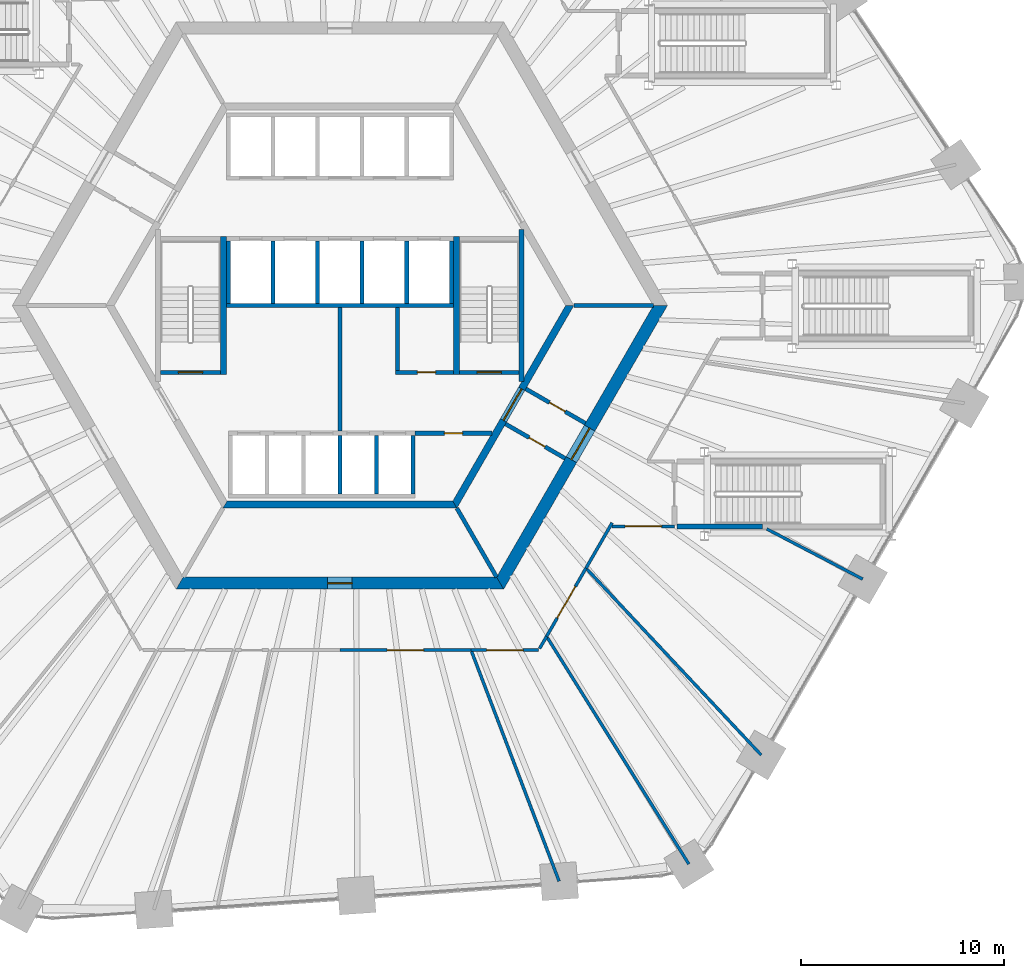
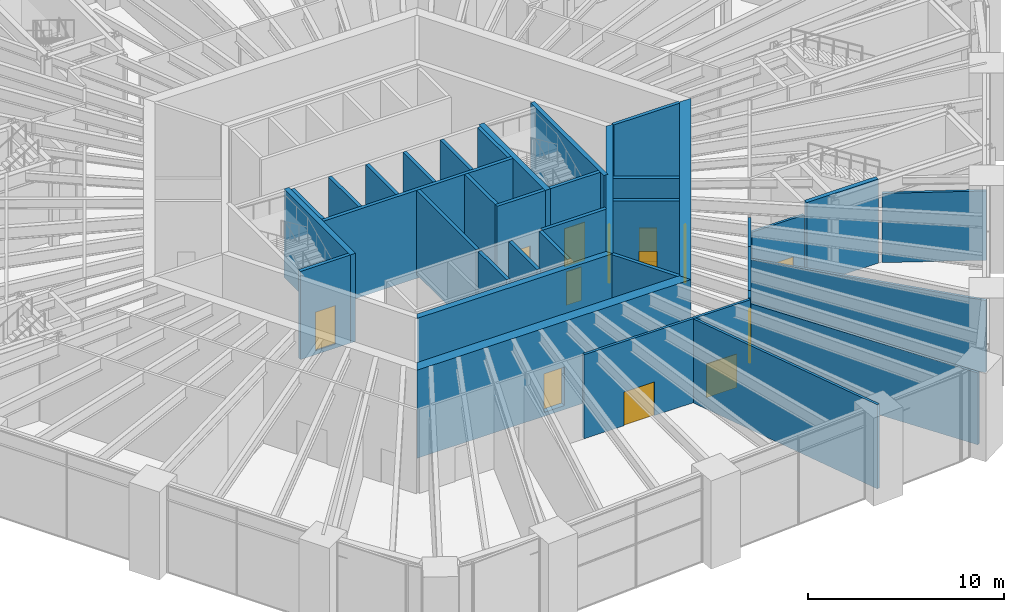
# One storey, part 22 of 30: 38 walls, 13 doors, 13 openings.
"""IFC4 building model written with IfcOpenShell, lengths in metres."""

from ifc_helpers import new_model, si_unit, direction, frame, frame_2d, origin, place, context, subcontext, project, spatial, polyline, rectangle, outline, extrude, material, layer, layer_set, type_object, element, fill, save


model = new_model("IFC4")

# Units and contexts
model_context = context("Model", 3, precision=1e-05, world=origin(), true_north=direction((0.0, 1.0)))
body_context = subcontext(model_context, "Body", "Model", "MODEL_VIEW")
ifc_project = project(units=[si_unit("LENGTHUNIT", "METRE"), si_unit("AREAUNIT", "SQUARE_METRE"), si_unit("VOLUMEUNIT", "CUBIC_METRE"), si_unit("PLANEANGLEUNIT", "RADIAN"), si_unit("MASSUNIT", "GRAM", prefix="KILO")], contexts=[model_context])

# Site, building, storey
site_placement = place(None, origin())
site = spatial("IfcSite", under=ifc_project, at=site_placement, CompositionType="ELEMENT")
building_placement = place(site_placement, origin())
building = spatial("IfcBuilding", under=site, at=building_placement, Name="Tarnside Tower", CompositionType="ELEMENT")
storey_placement = place(building_placement, frame((0.0, 0.0, 15.0)))
storey = spatial("IfcBuildingStorey", under=building, at=storey_placement, Name="L02", CompositionType="ELEMENT", Elevation=15.0)

# Wall
ifc_material_1 = material(Name="Concrete C50/60", Category="concrete")
ifc_layer_1 = layer(ifc_material_1, 0.35009765625)
ifc_layer_set_1 = layer_set([ifc_layer_1], Name="Core block wall 350 C50/60")
wall_type_1 = type_object("IfcWallType", Name="Core block wall 350 C50/60", PredefinedType="SHEAR", material=ifc_layer_set_1)
wall_1_placement = place(storey_placement, frame((-5.672607421875, -9.824951171875, -0.25), z_axis=(0.0, 0.0, 1.0), x_axis=(1.0, 0.0, 0.0)))
element("IfcWall", 1, at=wall_1_placement, inside=storey, type_object=wall_type_1, Name="L02 core block wall face 4", PredefinedType="SHEAR", context=body_context, shape_type="SweptSolid", body=[
    extrude(outline(polyline([(-0.10107421875, -0.175048828125), (11.4462890625, -0.175048828125), (11.244140625, 0.175048828125), (0.10107421875, 0.175048828125), (-0.10107421875, -0.175048828125)])), origin(), (0.0, 0.0, 1.0), 5.5),
])

# Wall, opening, door
wall_2_placement = place(storey_placement, frame((5.672607421875, -9.824951171875, -0.25), z_axis=(0.0, 0.0, 1.0), x_axis=(0.499995046907, 0.866028263435, 0.0)))
wall_2 = element("IfcWall", 2, at=wall_2_placement, inside=storey, type_object=wall_type_1, Name="L02 core block wall face 5", PredefinedType="SHEAR", context=body_context, shape_type="SweptSolid", body=[
    extrude(outline(polyline([(-0.10107421875, -0.175048828125), (11.44580078125, -0.175048828125), (11.24365234375, 0.175048828125), (0.10107421875, 0.175048828125), (-0.10107421875, -0.175048828125)])), origin(), (0.0, 0.0, 1.0), 5.5),
])
opening_1_placement = place(wall_2_placement, frame((4.80126953125, 0.0, 0.25)))
opening_1 = element("IfcOpeningElement", 3, at=opening_1_placement, cuts=wall_2, Name="Opening CD-FFL", PredefinedType="OPENING", context=body_context, shape_type="SweptSolid", body=[
    extrude(rectangle(XDim=1.800048828125, YDim=2.39990234375, at=frame_2d((0.89990234375, 1.199951171875))), frame((0.0, 0.18505859375, 0.0), z_axis=(0.0, -1.0, 0.0), x_axis=(1.0, 0.0, 0.0)), (0.0, 0.0, 1.0), 0.3701171875),
])
ifc_material_2 = material(Name="Steel fire door", Category="steel")
door_type_1 = type_object("IfcDoorType", Name="Firefighting lobby double door FD60S 1800x2400", OperationType="NOTDEFINED", PredefinedType="DOOR", material=ifc_material_2)
door_1_placement = place(opening_1_placement, origin())
door_1 = element("IfcDoor", 4, at=door_1_placement, inside=storey, type_object=door_type_1, Name="L02 lobby block door P4", OperationType="DOUBLE_DOOR_SINGLE_SWING", OverallHeight=2.39990234375, OverallWidth=1.800048828125, PredefinedType="DOOR", context=body_context, shape_type="SweptSolid", body=[
    extrude(rectangle(XDim=1.800048828125, YDim=2.39990234375, at=frame_2d((0.89990234375, 1.199951171875))), frame((0.0, 0.02490234375, 0.0), z_axis=(0.0, -1.0, 0.0), x_axis=(1.0, 0.0, 0.0)), (0.0, 0.0, 1.0), 0.050048828125),
])
fill(opening_1, door_1)

ifc_material_3 = material(Name="Concrete C40/50", Category="concrete")
ifc_layer_2 = layer(ifc_material_3, 0.199951171875)
ifc_layer_set_2 = layer_set([ifc_layer_2], Name="Core room partition 200 C40/50")
wall_type_2 = type_object("IfcWallType", Name="Core room partition 200 C40/50", PredefinedType="PARTITIONING", material=ifc_layer_set_2)
wall_3_placement = place(storey_placement, frame((2.75, -3.300048828125, 0.0), z_axis=(0.0, 0.0, 1.0), x_axis=(1.0, 0.0, 0.0)))
wall_3 = element("IfcWall", 5, at=wall_3_placement, inside=storey, type_object=wall_type_2, Name="L02 core partition R3S1", PredefinedType="PARTITIONING", context=body_context, shape_type="SweptSolid", body=[
    extrude(rectangle(XDim=2.85009765625, YDim=0.199951171875, at=frame_2d((1.425048828125, 0.0))), origin(), (0.0, 0.0, 1.0), 5.25),
])
opening_2_placement = place(wall_3_placement, frame((1.074951171875, 0.0, 0.0)))
opening_2 = element("IfcOpeningElement", 6, at=opening_2_placement, cuts=wall_3, Name="Opening CD-room", PredefinedType="OPENING", context=body_context, shape_type="SweptSolid", body=[
    extrude(rectangle(XDim=0.89990234375, YDim=2.10009765625, at=frame_2d((0.449951171875, 1.050048828125))), frame((0.0, 0.10986328125, 0.0), z_axis=(0.0, -1.0, 0.0), x_axis=(1.0, 0.0, 0.0)), (0.0, 0.0, 1.0), 0.219970703125),
])
door_type_2 = type_object("IfcDoorType", Name="Room door FD60 900x2100", OperationType="NOTDEFINED", PredefinedType="DOOR", material=ifc_material_2)
door_2_placement = place(opening_2_placement, origin())
door_2 = element("IfcDoor", 7, at=door_2_placement, inside=storey, type_object=door_type_2, Name="L02 core room door SR1", OperationType="SINGLE_SWING_LEFT", OverallHeight=2.10009765625, OverallWidth=0.89990234375, PredefinedType="DOOR", context=body_context, shape_type="SweptSolid", body=[
    extrude(rectangle(XDim=0.89990234375, YDim=2.10009765625, at=frame_2d((0.449951171875, 1.050048828125))), frame((0.0, 0.02490234375, 0.0), z_axis=(0.0, -1.0, 0.0), x_axis=(1.0, 0.0, 0.0)), (0.0, 0.0, 1.0), 0.050048828125),
])
fill(opening_2, door_2)

# Walls
wall_4_placement = place(storey_placement, frame((2.85009765625, -3.199951171875, 0.0), z_axis=(0.0, 0.0, 1.0), x_axis=(0.0, 1.0, 0.0)))
element("IfcWall", 8, at=wall_4_placement, inside=storey, type_object=wall_type_2, Name="L02 core partition R3P1a", PredefinedType="PARTITIONING", context=body_context, shape_type="SweptSolid", body=[
    extrude(rectangle(XDim=3.099853515625, YDim=0.199951171875, at=frame_2d((1.5498046875, 0.0))), origin(), (0.0, 0.0, 1.0), 5.25),
])
wall_5_placement = place(storey_placement, frame((0.0, -6.199951171875, 0.0), z_axis=(0.0, 0.0, 1.0), x_axis=(0.0, 1.0, 0.0)))
element("IfcWall", 9, at=wall_5_placement, inside=storey, type_object=wall_type_2, Name="L02 core partition X0", PredefinedType="PARTITIONING", context=body_context, shape_type="SweptSolid", body=[
    extrude(rectangle(XDim=6.099853515625, YDim=0.199951171875, at=frame_2d((3.0498046875, 0.0))), origin(), (0.0, 0.0, 1.0), 5.25),
])

# Wall, opening, door
wall_6_placement = place(storey_placement, frame((3.699951171875, -6.300048828125, 0.0), z_axis=(0.0, 0.0, 1.0), x_axis=(1.0, 0.0, 0.0)))
wall_6 = element("IfcWall", 10, at=wall_6_placement, inside=storey, type_object=wall_type_2, Name="L02 core partition R4X", PredefinedType="PARTITIONING", context=body_context, shape_type="SweptSolid", body=[
    extrude(rectangle(XDim=3.8056640625, YDim=0.199951171875, at=frame_2d((1.90283203125, 0.0))), origin(), (0.0, 0.0, 1.0), 5.25),
])
opening_3_placement = place(wall_6_placement, frame((1.452880859375, 0.0, 0.0)))
opening_3 = element("IfcOpeningElement", 11, at=opening_3_placement, cuts=wall_6, Name="Opening CD-room", PredefinedType="OPENING", context=body_context, shape_type="SweptSolid", body=[
    extrude(rectangle(XDim=0.89990234375, YDim=2.10009765625, at=frame_2d((0.449951171875, 1.050048828125))), frame((0.0, 0.10986328125, 0.0), z_axis=(0.0, -1.0, 0.0), x_axis=(1.0, 0.0, 0.0)), (0.0, 0.0, 1.0), 0.219970703125),
])
door_3_placement = place(opening_3_placement, origin())
door_3 = element("IfcDoor", 12, at=door_3_placement, inside=storey, type_object=door_type_2, Name="L02 core room door RX", OperationType="SINGLE_SWING_LEFT", OverallHeight=2.10009765625, OverallWidth=0.89990234375, PredefinedType="DOOR", context=body_context, shape_type="SweptSolid", body=[
    extrude(rectangle(XDim=0.89990234375, YDim=2.10009765625, at=frame_2d((0.449951171875, 1.050048828125))), frame((0.0, 0.02490234375, 0.0), z_axis=(0.0, -1.0, 0.0), x_axis=(1.0, 0.0, 0.0)), (0.0, 0.0, 1.0), 0.050048828125),
])
fill(opening_3, door_3)

wall_7_placement = place(storey_placement, frame((9.1748046875, -4.10888671875, 0.0), z_axis=(0.0, 0.0, 1.0), x_axis=(0.865989465428, -0.500062241894, 0.0)))
wall_7 = element("IfcWall", 13, at=wall_7_placement, inside=storey, type_object=wall_type_2, Name="L02 core partition AC4L", PredefinedType="PARTITIONING", context=body_context, shape_type="SweptSolid", body=[
    extrude(rectangle(XDim=3.39990234375, YDim=0.199951171875, at=frame_2d((1.699951171875, 0.0))), origin(), (0.0, 0.0, 1.0), 5.25),
])
opening_4_placement = place(wall_7_placement, frame((1.3505859375, 0.0, 0.0)))
opening_4 = element("IfcOpeningElement", 14, at=opening_4_placement, cuts=wall_7, Name="Opening CD-room", PredefinedType="OPENING", context=body_context, shape_type="SweptSolid", body=[
    extrude(rectangle(XDim=0.89990234375, YDim=2.10009765625, at=frame_2d((0.449951171875, 1.050048828125))), frame((0.0, 0.10986328125, 0.0), z_axis=(0.0, -1.0, 0.0), x_axis=(1.0, 0.0, 0.0)), (0.0, 0.0, 1.0), 0.219970703125),
])
door_4_placement = place(opening_4_placement, origin())
door_4 = element("IfcDoor", 15, at=door_4_placement, inside=storey, type_object=door_type_2, Name="L02 core room door AX4L", OperationType="SINGLE_SWING_LEFT", OverallHeight=2.10009765625, OverallWidth=0.89990234375, PredefinedType="DOOR", context=body_context, shape_type="SweptSolid", body=[
    extrude(rectangle(XDim=0.89990234375, YDim=2.10009765625, at=frame_2d((0.449951171875, 1.050048828125))), frame((0.0, 0.02490234375, 0.0), z_axis=(0.0, -1.0, 0.0), x_axis=(1.0, 0.0, 0.0)), (0.0, 0.0, 1.0), 0.050048828125),
])
fill(opening_4, door_4)

wall_8_placement = place(storey_placement, frame((8.1748046875, -5.841064453125, 0.0), z_axis=(0.0, 0.0, 1.0), x_axis=(0.866020560687, -0.500008388397, 0.0)))
wall_8 = element("IfcWall", 16, at=wall_8_placement, inside=storey, type_object=wall_type_2, Name="L02 core partition AC4R", PredefinedType="PARTITIONING", context=body_context, shape_type="SweptSolid", body=[
    extrude(rectangle(XDim=3.39990234375, YDim=0.199951171875, at=frame_2d((1.699951171875, 0.0))), origin(), (0.0, 0.0, 1.0), 5.25),
])
opening_5_placement = place(wall_8_placement, frame((1.349609375, 0.0, 0.0)))
opening_5 = element("IfcOpeningElement", 17, at=opening_5_placement, cuts=wall_8, Name="Opening CD-room", PredefinedType="OPENING", context=body_context, shape_type="SweptSolid", body=[
    extrude(rectangle(XDim=0.89990234375, YDim=2.10009765625, at=frame_2d((0.449951171875, 1.050048828125))), frame((0.0, 0.10986328125, 0.0), z_axis=(0.0, -1.0, 0.0), x_axis=(1.0, 0.0, 0.0)), (0.0, 0.0, 1.0), 0.219970703125),
])
door_5_placement = place(opening_5_placement, origin())
door_5 = element("IfcDoor", 18, at=door_5_placement, inside=storey, type_object=door_type_2, Name="L02 core room door AX4R", OperationType="SINGLE_SWING_LEFT", OverallHeight=2.10009765625, OverallWidth=0.89990234375, PredefinedType="DOOR", context=body_context, shape_type="SweptSolid", body=[
    extrude(rectangle(XDim=0.89990234375, YDim=2.10009765625, at=frame_2d((0.449951171875, 1.050048828125))), frame((0.0, 0.02490234375, 0.0), z_axis=(0.0, -1.0, 0.0), x_axis=(1.0, 0.0, 0.0)), (0.0, 0.0, 1.0), 0.050048828125),
])
fill(opening_5, door_5)

ifc_material_4 = material(Name="Concrete C80/95", Category="concrete")
ifc_layer_3 = layer(ifc_material_4, 0.60009765625)
ifc_layer_set_3 = layer_set([ifc_layer_3], Name="Core wall Z1 600 C80/95")
wall_type_3 = type_object("IfcWallType", Name="Core wall Z1 600 C80/95", PredefinedType="SHEAR", material=ifc_layer_set_3)
wall_9_placement = place(storey_placement, frame((-7.90966796875, -13.699951171875, -0.25), z_axis=(0.0, 0.0, 1.0), x_axis=(1.0, 0.0, 0.0)))
wall_9 = element("IfcWall", 19, at=wall_9_placement, inside=storey, type_object=wall_type_3, Name="L02 core wall face 4", PredefinedType="SHEAR", context=body_context, shape_type="SweptSolid", body=[
    extrude(outline(polyline([(-0.17333984375, -0.300048828125), (15.99267578125, -0.300048828125), (15.64599609375, 0.300048828125), (0.17333984375, 0.300048828125), (-0.17333984375, -0.300048828125)])), origin(), (0.0, 0.0, 1.0), 5.5),
])
opening_6_placement = place(wall_9_placement, frame((7.309814453125, 0.0, 0.25)))
opening_6 = element("IfcOpeningElement", 20, at=opening_6_placement, cuts=wall_9, Name="Opening CD-RSR", PredefinedType="OPENING", context=body_context, shape_type="SweptSolid", body=[
    extrude(rectangle(XDim=1.199951171875, YDim=2.39990234375, at=frame_2d((0.60009765625, 1.199951171875))), frame((0.0, 0.31005859375, 0.0), z_axis=(0.0, -1.0, 0.0), x_axis=(1.0, 0.0, 0.0)), (0.0, 0.0, 1.0), 0.6201171875),
])
door_type_3 = type_object("IfcDoorType", Name="Riser door FD60 1200x2400", OperationType="NOTDEFINED", PredefinedType="DOOR", material=ifc_material_2)
door_6_placement = place(opening_6_placement, origin())
door_6 = element("IfcDoor", 21, at=door_6_placement, inside=storey, type_object=door_type_3, Name="L02 core door S6", OperationType="SINGLE_SWING_LEFT", OverallHeight=2.39990234375, OverallWidth=1.199951171875, PredefinedType="DOOR", context=body_context, shape_type="SweptSolid", body=[
    extrude(rectangle(XDim=1.199951171875, YDim=2.39990234375, at=frame_2d((0.60009765625, 1.199951171875))), frame((0.0, 0.02490234375, 0.0), z_axis=(0.0, -1.0, 0.0), x_axis=(1.0, 0.0, 0.0)), (0.0, 0.0, 1.0), 0.050048828125),
])
fill(opening_6, door_6)

wall_10_placement = place(storey_placement, frame((7.90966796875, -13.699951171875, -0.25), z_axis=(0.0, 0.0, 1.0), x_axis=(0.499999880136, 0.866025472988, 0.0)))
wall_10 = element("IfcWall", 22, at=wall_10_placement, inside=storey, type_object=wall_type_3, Name="L02 core wall face 5", PredefinedType="SHEAR", context=body_context, shape_type="SweptSolid", body=[
    extrude(outline(polyline([(-0.17333984375, -0.300048828125), (15.99267578125, -0.300048828125), (15.64599609375, 0.300048828125), (0.17333984375, 0.300048828125), (-0.17333984375, -0.300048828125)])), origin(), (0.0, 0.0, 1.0), 5.5),
])
opening_7_placement = place(wall_10_placement, frame((7.03857421875, 0.0, 0.25)))
opening_7 = element("IfcOpeningElement", 23, at=opening_7_placement, cuts=wall_10, Name="Opening CD-FFL", PredefinedType="OPENING", context=body_context, shape_type="SweptSolid", body=[
    extrude(rectangle(XDim=1.800048828125, YDim=2.39990234375, at=frame_2d((0.89990234375, 1.199951171875))), frame((0.0, 0.31005859375, 0.0), z_axis=(0.0, -1.0, 0.0), x_axis=(1.0, 0.0, 0.0)), (0.0, 0.0, 1.0), 0.6201171875),
])
door_7_placement = place(opening_7_placement, origin())
door_7 = element("IfcDoor", 24, at=door_7_placement, inside=storey, type_object=door_type_1, Name="L02 core door P4", OperationType="DOUBLE_DOOR_SINGLE_SWING", OverallHeight=2.39990234375, OverallWidth=1.800048828125, PredefinedType="DOOR", context=body_context, shape_type="SweptSolid", body=[
    extrude(rectangle(XDim=1.800048828125, YDim=2.39990234375, at=frame_2d((0.89990234375, 1.199951171875))), frame((0.0, 0.02490234375, 0.0), z_axis=(0.0, -1.0, 0.0), x_axis=(1.0, 0.0, 0.0)), (0.0, 0.0, 1.0), 0.050048828125),
])
fill(opening_7, door_7)

# Walls
ifc_layer_4 = layer(ifc_material_3, 0.199951171875)
ifc_layer_set_4 = layer_set([ifc_layer_4], Name="Lift shaft wall 200 C40/50")
wall_type_4 = type_object("IfcWallType", Name="Lift shaft wall 200 C40/50", PredefinedType="SHEAR", material=ifc_layer_set_4)
wall_11_placement = place(storey_placement, frame((-5.60009765625, 0.0, -0.25), z_axis=(0.0, 0.0, 1.0), x_axis=(1.0, 0.0, 0.0)))
element("IfcWall", 25, at=wall_11_placement, inside=storey, type_object=wall_type_4, Name="L02 lift shaft back wall R2", PredefinedType="SHEAR", context=body_context, shape_type="SweptSolid", body=[
    extrude(rectangle(XDim=11.2001953125, YDim=0.199951171875, at=frame_2d((5.60009765625, 0.0))), origin(), (0.0, 0.0, 1.0), 5.5),
])
for number, where, z_axis, x_axis, name in (
    (26, (-5.5, 0.10009765625, -0.25), (0.0, 0.0, 1.0), (0.0, 1.0, 0.0), "L02 lift shaft partition R21"),
    (27, (-3.300048828125, 0.10009765625, -0.25), (0.0, 0.0, 1.0), (0.0, 1.0, 0.0), "L02 lift shaft partition R22"),
    (28, (-1.10009765625, 0.10009765625, -0.25), (0.0, 0.0, 1.0), (0.0, 1.0, 0.0), "L02 lift shaft partition R23"),
    (29, (1.10009765625, 0.10009765625, -0.25), (0.0, 0.0, 1.0), (0.0, 1.0, 0.0), "L02 lift shaft partition R24"),
    (30, (3.300048828125, 0.10009765625, -0.25), (0.0, 0.0, 1.0), (0.0, 1.0, 0.0), "L02 lift shaft partition R25"),
    (31, (5.5, 0.10009765625, -0.25), (0.0, 0.0, 1.0), (0.0, 1.0, 0.0), "L02 lift shaft partition R26"),
):
    element("IfcWall", number, at=place(storey_placement, frame(where, z_axis=z_axis, x_axis=x_axis)), inside=storey, type_object=wall_type_4, Name=name, PredefinedType="SHEAR", context=body_context, shape_type="SweptSolid", body=[
        extrude(rectangle(XDim=3.099853515625, YDim=0.199951171875, at=frame_2d((1.5498046875, 0.0))), origin(), (0.0, 0.0, 1.0), 5.5),
    ])
for number, where, z_axis, x_axis, name in (
    (32, (0.0, -9.300048828125, -0.25), (0.0, 0.0, 1.0), (0.0, 1.0, 0.0), "L02 lift shaft partition R44"),
    (33, (1.800048828125, -9.300048828125, -0.25), (0.0, 0.0, 1.0), (0.0, 1.0, 0.0), "L02 lift shaft partition R45"),
    (34, (3.60009765625, -9.300048828125, -0.25), (0.0, 0.0, 1.0), (0.0, 1.0, 0.0), "L02 lift shaft partition R46"),
):
    element("IfcWall", number, at=place(storey_placement, frame(where, z_axis=z_axis, x_axis=x_axis)), inside=storey, type_object=wall_type_4, Name=name, PredefinedType="SHEAR", context=body_context, shape_type="SweptSolid", body=[
        extrude(rectangle(XDim=2.900146484375, YDim=0.199951171875, at=frame_2d((1.4501953125, 0.0))), origin(), (0.0, 0.0, 1.0), 5.5),
    ])
wall_12_placement = place(storey_placement, frame((11.547119140625, 0.0, -0.25), z_axis=(0.0, 0.0, 1.0), x_axis=(1.0, 0.0, 0.0)))
element("IfcWall", 35, at=wall_12_placement, inside=storey, type_object=wall_type_4, Name="L02 core partition AR0", PredefinedType="SHEAR", context=body_context, shape_type="SweptSolid", body=[
    extrude(rectangle(XDim=3.92578125, YDim=0.199951171875, at=frame_2d((1.962890625, 0.0))), origin(), (0.0, 0.0, 1.0), 5.5),
])
wall_13_placement = place(storey_placement, frame((5.7734375, -10.0, -0.25), z_axis=(0.0, 0.0, 1.0), x_axis=(0.500038251005, -0.86600331843, 0.0)))
element("IfcWall", 36, at=wall_13_placement, inside=storey, type_object=wall_type_4, Name="L02 core partition AR300", PredefinedType="SHEAR", context=body_context, shape_type="SweptSolid", body=[
    extrude(rectangle(XDim=3.926025390625, YDim=0.199951171875, at=frame_2d((1.962890625, 0.0))), origin(), (0.0, 0.0, 1.0), 5.5),
])

# Wall, opening, door
wall_14_placement = place(storey_placement, frame((5.89990234375, -3.300048828125, -0.25), z_axis=(0.0, 0.0, 1.0), x_axis=(1.0, 0.0, 0.0)))
wall_14 = element("IfcWall", 37, at=wall_14_placement, inside=storey, type_object=wall_type_4, Name="L02 stair 1 enclosure cap wall s", PredefinedType="SHEAR", context=body_context, shape_type="SweptSolid", body=[
    extrude(rectangle(XDim=2.9501953125, YDim=0.199951171875, at=frame_2d((1.47509765625, 0.0))), origin(), (0.0, 0.0, 1.0), 5.5),
])
opening_8_placement = place(wall_14_placement, frame((0.875, 0.0, 0.25)))
opening_8 = element("IfcOpeningElement", 38, at=opening_8_placement, cuts=wall_14, Name="Opening CD-STR", PredefinedType="OPENING", context=body_context, shape_type="SweptSolid", body=[
    extrude(rectangle(XDim=1.199951171875, YDim=2.39990234375, at=frame_2d((0.60009765625, 1.199951171875))), frame((0.0, 0.10986328125, 0.0), z_axis=(0.0, -1.0, 0.0), x_axis=(1.0, 0.0, 0.0)), (0.0, 0.0, 1.0), 0.219970703125),
])
door_type_4 = type_object("IfcDoorType", Name="Stair door FD60S 1200x2400", OperationType="NOTDEFINED", PredefinedType="DOOR", material=ifc_material_2)
door_8_placement = place(opening_8_placement, origin())
door_8 = element("IfcDoor", 39, at=door_8_placement, inside=storey, type_object=door_type_4, Name="L02 stair 1 door", OperationType="SINGLE_SWING_LEFT", OverallHeight=2.39990234375, OverallWidth=1.199951171875, PredefinedType="DOOR", context=body_context, shape_type="SweptSolid", body=[
    extrude(rectangle(XDim=1.199951171875, YDim=2.39990234375, at=frame_2d((0.60009765625, 1.199951171875))), frame((0.0, 0.02490234375, 0.0), z_axis=(0.0, -1.0, 0.0), x_axis=(1.0, 0.0, 0.0)), (0.0, 0.0, 1.0), 0.050048828125),
])
fill(opening_8, door_8)

wall_15_placement = place(storey_placement, frame((-8.85009765625, -3.300048828125, -0.25), z_axis=(0.0, 0.0, 1.0), x_axis=(1.0, 0.0, 0.0)))
wall_15 = element("IfcWall", 40, at=wall_15_placement, inside=storey, type_object=wall_type_4, Name="L02 stair 2 enclosure cap wall s", PredefinedType="SHEAR", context=body_context, shape_type="SweptSolid", body=[
    extrude(rectangle(XDim=2.9501953125, YDim=0.199951171875, at=frame_2d((1.47509765625, 0.0))), origin(), (0.0, 0.0, 1.0), 5.5),
])
opening_9_placement = place(wall_15_placement, frame((0.875, 0.0, 0.25)))
opening_9 = element("IfcOpeningElement", 41, at=opening_9_placement, cuts=wall_15, Name="Opening CD-STR", PredefinedType="OPENING", context=body_context, shape_type="SweptSolid", body=[
    extrude(rectangle(XDim=1.199951171875, YDim=2.39990234375, at=frame_2d((0.60009765625, 1.199951171875))), frame((0.0, 0.10986328125, 0.0), z_axis=(0.0, -1.0, 0.0), x_axis=(1.0, 0.0, 0.0)), (0.0, 0.0, 1.0), 0.219970703125),
])
door_9_placement = place(opening_9_placement, origin())
door_9 = element("IfcDoor", 42, at=door_9_placement, inside=storey, type_object=door_type_4, Name="L02 stair 2 door", OperationType="SINGLE_SWING_LEFT", OverallHeight=2.39990234375, OverallWidth=1.199951171875, PredefinedType="DOOR", context=body_context, shape_type="SweptSolid", body=[
    extrude(rectangle(XDim=1.199951171875, YDim=2.39990234375, at=frame_2d((0.60009765625, 1.199951171875))), frame((0.0, 0.02490234375, 0.0), z_axis=(0.0, -1.0, 0.0), x_axis=(1.0, 0.0, 0.0)), (0.0, 0.0, 1.0), 0.050048828125),
])
fill(opening_9, door_9)

ifc_material_5 = material(Name="Gypsum board")
ifc_layer_5 = layer(ifc_material_5, 0.14990234375)
ifc_layer_set_5 = layer_set([ifc_layer_5], Name="Partition 150 gypsum board on metal stud")
wall_type_5 = type_object("IfcWallType", Name="Partition 150 gypsum board on metal stud", PredefinedType="PARTITIONING", material=ifc_layer_set_5)
wall_16_placement = place(storey_placement, frame((6.47412109375, -17.0, 0.0), z_axis=(0.0, 0.0, 1.0), x_axis=(-1.0, 0.0, 0.0)))
wall_16 = element("IfcWall", 43, at=wall_16_placement, inside=storey, type_object=wall_type_5, Name="Partition 046", PredefinedType="PARTITIONING", context=body_context, shape_type="SweptSolid", body=[
    extrude(rectangle(XDim=6.47412109375, YDim=0.14990234375, at=frame_2d((3.237060546875, 0.0))), origin(), (0.0, 0.0, 1.0), 5.25),
])
opening_10_placement = place(wall_16_placement, frame((2.3369140625, 0.0, 0.0)))
opening_10 = element("IfcOpeningElement", 44, at=opening_10_placement, cuts=wall_16, Name="Opening D1800F30", PredefinedType="OPENING", context=body_context, shape_type="SweptSolid", body=[
    extrude(rectangle(XDim=1.800048828125, YDim=2.10009765625, at=frame_2d((0.89990234375, 1.050048828125))), frame((0.0, 0.0849609375, 0.0), z_axis=(0.0, -1.0, 0.0), x_axis=(1.0, 0.0, 0.0)), (0.0, 0.0, 1.0), 0.169921875),
])
ifc_material_6 = material(Name="Timber door leaf", Category="wood")
door_type_5 = type_object("IfcDoorType", Name="Door pair 1800 x 2100 FD30S fire door", OperationType="NOTDEFINED", PredefinedType="DOOR", material=ifc_material_6)
door_10_placement = place(opening_10_placement, origin())
door_10 = element("IfcDoor", 45, at=door_10_placement, inside=storey, type_object=door_type_5, Name="Door L02-22", OperationType="DOUBLE_DOOR_SINGLE_SWING", OverallHeight=2.10009765625, OverallWidth=1.800048828125, PredefinedType="DOOR", context=body_context, shape_type="SweptSolid", body=[
    extrude(rectangle(XDim=1.800048828125, YDim=2.10009765625, at=frame_2d((0.89990234375, 1.050048828125))), frame((0.0, 0.02490234375, 0.0), z_axis=(0.0, -1.0, 0.0), x_axis=(1.0, 0.0, 0.0)), (0.0, 0.0, 1.0), 0.050048828125),
])
fill(opening_10, door_10)

wall_17_placement = place(storey_placement, frame((9.81494140625, -17.0, 0.0), z_axis=(0.0, 0.0, 1.0), x_axis=(-1.0, 0.0, 0.0)))
wall_17 = element("IfcWall", 46, at=wall_17_placement, inside=storey, type_object=wall_type_5, Name="Partition 049", PredefinedType="PARTITIONING", context=body_context, shape_type="SweptSolid", body=[
    extrude(rectangle(XDim=3.3408203125, YDim=0.14990234375, at=frame_2d((1.67041015625, 0.0))), origin(), (0.0, 0.0, 1.0), 5.25),
])
opening_11_placement = place(wall_17_placement, frame((0.7705078125, 0.0, 0.0)))
opening_11 = element("IfcOpeningElement", 47, at=opening_11_placement, cuts=wall_17, Name="Opening D1800F30", PredefinedType="OPENING", context=body_context, shape_type="SweptSolid", body=[
    extrude(rectangle(XDim=1.800048828125, YDim=2.10009765625, at=frame_2d((0.89990234375, 1.050048828125))), frame((0.0, 0.0849609375, 0.0), z_axis=(0.0, -1.0, 0.0), x_axis=(1.0, 0.0, 0.0)), (0.0, 0.0, 1.0), 0.169921875),
])
door_11_placement = place(opening_11_placement, origin())
door_11 = element("IfcDoor", 48, at=door_11_placement, inside=storey, type_object=door_type_5, Name="Door L02-24", OperationType="DOUBLE_DOOR_SINGLE_SWING", OverallHeight=2.10009765625, OverallWidth=1.800048828125, PredefinedType="DOOR", context=body_context, shape_type="SweptSolid", body=[
    extrude(rectangle(XDim=1.800048828125, YDim=2.10009765625, at=frame_2d((0.89990234375, 1.050048828125))), frame((0.0, 0.02490234375, 0.0), z_axis=(0.0, -1.0, 0.0), x_axis=(1.0, 0.0, 0.0)), (0.0, 0.0, 1.0), 0.050048828125),
])
fill(opening_11, door_11)

# Wall
wall_18_placement = place(storey_placement, frame((9.8583984375, -16.925048828125, 0.0), z_axis=(0.0, 0.0, 1.0), x_axis=(0.499681576323, 0.866209167744, 0.0)))
element("IfcWall", 49, at=wall_18_placement, inside=storey, type_object=wall_type_5, Name="Partition 051", PredefinedType="PARTITIONING", context=body_context, shape_type="SweptSolid", body=[
    extrude(rectangle(XDim=0.689453125, YDim=0.14990234375, at=frame_2d((0.3447265625, 0.0))), origin(), (0.0, 0.0, 1.0), 5.25),
])

# Wall, opening, door
wall_19_placement = place(storey_placement, frame((12.14794921875, -12.958984375, 0.0), z_axis=(0.0, 0.0, 1.0), x_axis=(-0.500006760876, -0.866021500355, 0.0)))
wall_19 = element("IfcWall", 50, at=wall_19_placement, inside=storey, type_object=wall_type_5, Name="Partition 053", PredefinedType="PARTITIONING", context=body_context, shape_type="SweptSolid", body=[
    extrude(rectangle(XDim=3.89013671875, YDim=0.14990234375, at=frame_2d((1.945068359375, 0.0))), origin(), (0.0, 0.0, 1.0), 5.25),
])
opening_12_placement = place(wall_19_placement, frame((1.045166015625, 0.0, 0.0)))
opening_12 = element("IfcOpeningElement", 51, at=opening_12_placement, cuts=wall_19, Name="Opening D1800F30", PredefinedType="OPENING", context=body_context, shape_type="SweptSolid", body=[
    extrude(rectangle(XDim=1.800048828125, YDim=2.10009765625, at=frame_2d((0.89990234375, 1.050048828125))), frame((0.0, 0.0849609375, 0.0), z_axis=(0.0, -1.0, 0.0), x_axis=(1.0, 0.0, 0.0)), (0.0, 0.0, 1.0), 0.169921875),
])
door_12_placement = place(opening_12_placement, origin())
door_12 = element("IfcDoor", 52, at=door_12_placement, inside=storey, type_object=door_type_5, Name="Door L02-26", OperationType="DOUBLE_DOOR_SINGLE_SWING", OverallHeight=2.10009765625, OverallWidth=1.800048828125, PredefinedType="DOOR", context=body_context, shape_type="SweptSolid", body=[
    extrude(rectangle(XDim=1.800048828125, YDim=2.10009765625, at=frame_2d((0.89990234375, 1.050048828125))), frame((0.0, 0.02490234375, 0.0), z_axis=(0.0, -1.0, 0.0), x_axis=(1.0, 0.0, 0.0)), (0.0, 0.0, 1.0), 0.050048828125),
])
fill(opening_12, door_12)

# Walls
wall_20_placement = place(storey_placement, frame((10.821044921875, -28.4140625, 0.0), z_axis=(0.0, 0.0, 1.0), x_axis=(-0.355901613379, 0.934523430201, 0.0)))
element("IfcWall", 53, at=wall_20_placement, inside=storey, type_object=wall_type_5, Name="Partition 054", PredefinedType="PARTITIONING", context=body_context, shape_type="SweptSolid", body=[
    extrude(rectangle(XDim=12.133544921875, YDim=0.14990234375, at=frame_2d((6.06689453125, 0.0))), origin(), (0.0, 0.0, 1.0), 5.25),
])
wall_21_placement = place(storey_placement, frame((12.14794921875, -12.958984375, 0.0), z_axis=(0.0, 0.0, 1.0), x_axis=(0.499959617396, 0.866048717436, 0.0)))
element("IfcWall", 54, at=wall_21_placement, inside=storey, type_object=wall_type_5, Name="Partition 058", PredefinedType="PARTITIONING", context=body_context, shape_type="SweptSolid", body=[
    extrude(rectangle(XDim=2.584228515625, YDim=0.14990234375, at=frame_2d((1.2919921875, 0.0))), origin(), (0.0, 0.0, 1.0), 5.25),
])

# Wall, opening, door
wall_22_placement = place(storey_placement, frame((16.514892578125, -10.89990234375, 0.0), z_axis=(0.0, 0.0, 1.0), x_axis=(-1.0, 0.0, 0.0)))
wall_22 = element("IfcWall", 55, at=wall_22_placement, inside=storey, type_object=wall_type_5, Name="Partition 066", PredefinedType="PARTITIONING", context=body_context, shape_type="SweptSolid", body=[
    extrude(rectangle(XDim=3.074951171875, YDim=0.14990234375, at=frame_2d((1.53759765625, 0.0))), origin(), (0.0, 0.0, 1.0), 4.49609375),
])
opening_13_placement = place(wall_22_placement, frame((0.637451171875, 0.0, 0.0)))
opening_13 = element("IfcOpeningElement", 56, at=opening_13_placement, cuts=wall_22, Name="Opening D1800F30", PredefinedType="OPENING", context=body_context, shape_type="SweptSolid", body=[
    extrude(rectangle(XDim=1.800048828125, YDim=2.10009765625, at=frame_2d((0.89990234375, 1.050048828125))), frame((0.0, 0.0849609375, 0.0), z_axis=(0.0, -1.0, 0.0), x_axis=(1.0, 0.0, 0.0)), (0.0, 0.0, 1.0), 0.169921875),
])
door_13_placement = place(opening_13_placement, origin())
door_13 = element("IfcDoor", 57, at=door_13_placement, inside=storey, type_object=door_type_5, Name="Door L02-30", OperationType="DOUBLE_DOOR_SINGLE_SWING", OverallHeight=2.10009765625, OverallWidth=1.800048828125, PredefinedType="DOOR", context=body_context, shape_type="SweptSolid", body=[
    extrude(rectangle(XDim=1.800048828125, YDim=2.10009765625, at=frame_2d((0.89990234375, 1.050048828125))), frame((0.0, 0.02490234375, 0.0), z_axis=(0.0, -1.0, 0.0), x_axis=(1.0, 0.0, 0.0)), (0.0, 0.0, 1.0), 0.050048828125),
])
fill(opening_13, door_13)

# Walls
wall_23_placement = place(storey_placement, frame((17.22509765625, -27.56591796875, 0.0), z_axis=(0.0, 0.0, 1.0), x_axis=(-0.529913932499, 0.848051427771, 0.0)))
element("IfcWall", 58, at=wall_23_placement, inside=storey, type_object=wall_type_5, Name="Partition 069", PredefinedType="PARTITIONING", context=body_context, shape_type="SweptSolid", body=[
    extrude(rectangle(XDim=13.16650390625, YDim=0.14990234375, at=frame_2d((6.583251953125, 0.0))), origin(), (0.0, 0.0, 1.0), 4.48779296875),
])
wall_24_placement = place(storey_placement, frame((20.794921875, -22.181884765625, 0.0), z_axis=(0.0, 0.0, 1.0), x_axis=(-0.683955995382, 0.729523266511, 0.0)))
element("IfcWall", 59, at=wall_24_placement, inside=storey, type_object=wall_type_5, Name="Partition 075", PredefinedType="PARTITIONING", context=body_context, shape_type="SweptSolid", body=[
    extrude(rectangle(XDim=12.56396484375, YDim=0.14990234375, at=frame_2d((6.281982421875, 0.0))), origin(), (0.0, 0.0, 1.0), 4.49609375),
])
wall_25_placement = place(storey_placement, frame((25.806884765625, -13.5009765625, 0.0), z_axis=(0.0, 0.0, 1.0), x_axis=(-0.886067598261, 0.463556049807, 0.0)))
element("IfcWall", 60, at=wall_25_placement, inside=storey, type_object=wall_type_5, Name="Partition 082", PredefinedType="PARTITIONING", context=body_context, shape_type="SweptSolid", body=[
    extrude(rectangle(XDim=5.341552734375, YDim=0.14990234375, at=frame_2d((2.6708984375, 0.0))), origin(), (0.0, 0.0, 1.0), 4.323486328125),
])
ifc_layer_6 = layer(ifc_material_3, 0.25)
ifc_layer_set_6 = layer_set([ifc_layer_6], Name="Stair enclosure wall 250 C40/50")
wall_type_6 = type_object("IfcWallType", Name="Stair enclosure wall 250 C40/50", PredefinedType="SHEAR", material=ifc_layer_set_6)
wall_26_placement = place(storey_placement, frame((8.97509765625, -3.7548828125, -0.25), z_axis=(0.0, 0.0, 1.0), x_axis=(0.0, 1.0, 0.0)))
element("IfcWall", 61, at=wall_26_placement, inside=storey, type_object=wall_type_6, Name="L02 stair 1 enclosure wall outer", PredefinedType="SHEAR", context=body_context, shape_type="SweptSolid", body=[
    extrude(rectangle(XDim=7.509765625, YDim=0.25, at=frame_2d((3.7548828125, 0.0))), origin(), (0.0, 0.0, 1.0), 5.5),
])
ifc_layer_7 = layer(ifc_material_3, 0.300048828125)
ifc_layer_set_7 = layer_set([ifc_layer_7], Name="Stair enclosure wall 300 C40/50")
wall_type_7 = type_object("IfcWallType", Name="Stair enclosure wall 300 C40/50", PredefinedType="SHEAR", material=ifc_layer_set_7)
for number, where, z_axis, x_axis, name in (
    (62, (5.75, -3.39990234375, -0.25), (0.0, 0.0, 1.0), (0.0, 1.0, 0.0), "L02 stair 1 enclosure wall inner"),
    (63, (-5.75, -3.39990234375, -0.25), (0.0, 0.0, 1.0), (0.0, 1.0, 0.0), "L02 stair 2 enclosure wall inner"),
):
    element("IfcWall", number, at=place(storey_placement, frame(where, z_axis=z_axis, x_axis=x_axis)), inside=storey, type_object=wall_type_7, Name=name, PredefinedType="SHEAR", context=body_context, shape_type="SweptSolid", body=[
        extrude(rectangle(XDim=6.7998046875, YDim=0.300048828125, at=frame_2d((3.39990234375, 0.0))), origin(), (0.0, 0.0, 1.0), 5.5),
    ])
ifc_material_7 = material(Name="Concrete C32/40", Category="concrete")
ifc_layer_8 = layer(ifc_material_7, 0.25)
ifc_layer_set_8 = layer_set([ifc_layer_8], Name="Wall 250 reinforced Concrete C32/40")
wall_type_8 = type_object("IfcWallType", Name="Wall 250 reinforced Concrete C32/40", PredefinedType="PARTITIONING", material=ifc_layer_set_8)
wall_27_placement = place(storey_placement, frame((20.85595703125, -10.89990234375, 0.0), z_axis=(0.0, 0.0, 1.0), x_axis=(-1.0, 0.0, 0.0)))
element("IfcWall", 64, at=wall_27_placement, inside=storey, type_object=wall_type_8, Name="Partition 079", PredefinedType="PARTITIONING", context=body_context, shape_type="SweptSolid", body=[
    extrude(rectangle(XDim=4.216064453125, YDim=0.25, at=frame_2d((2.10791015625, 0.0))), origin(), (0.0, 0.0, 1.0), 5.25),
])

save(model, "model.ifc")
